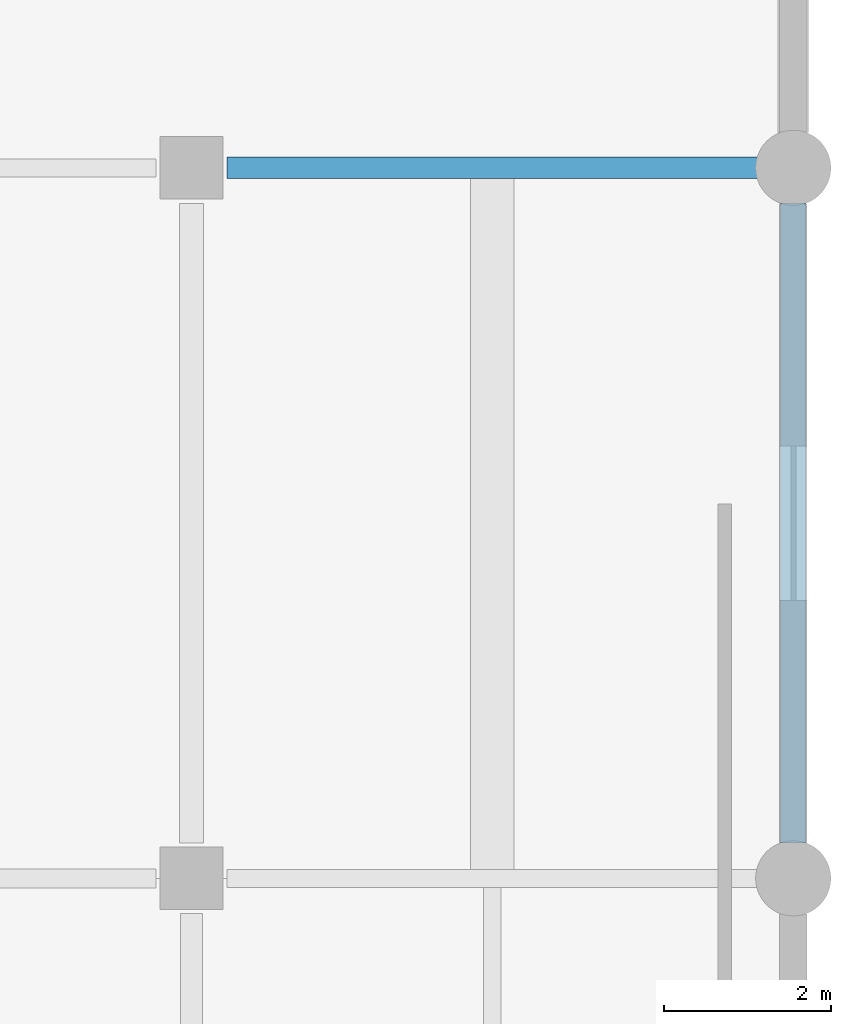
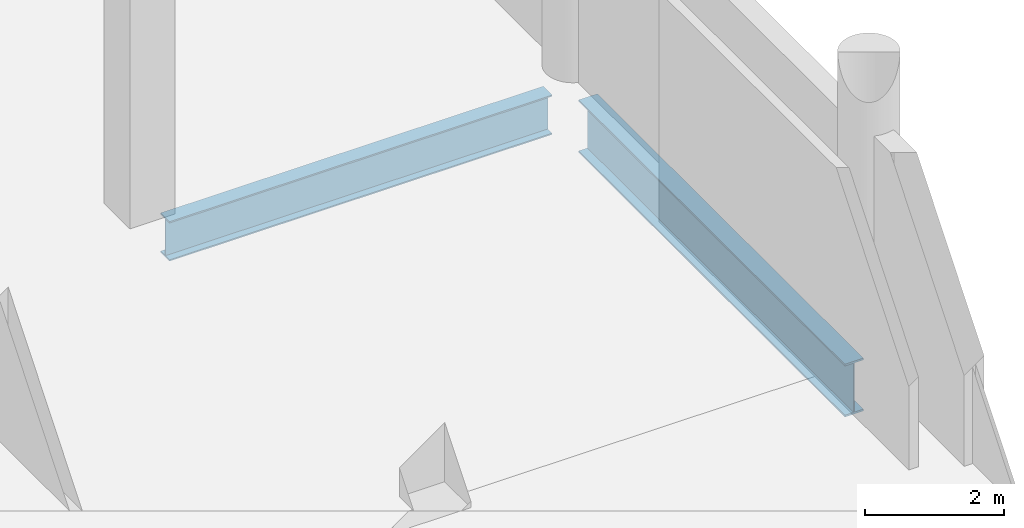
# One storey, part 62 of 107: 2 beams.
"""IFC4 building model written with IfcOpenShell, lengths in metres."""

import ifcopenshell
import ifcopenshell.guid

model = None  # the IFC model being written
_history = None  # IfcOwnerHistory: only IFC2X3 demands one
_inside = {}  # id of a spatial element -> (the spatial element, [elements in it])
_under = {}  # id of a project, library or spatial element -> (it, [spatial elements below it])
_declared = {}  # id of a project -> (the project, [libraries it declares])
_typed = {}  # id of a type object -> (the type object, [elements of that type])
_made_of = {}  # id of a material, layer set ... -> (it, [elements and type objects made of it])


def new_model(schema):
    """Start an empty IFC model of exactly this schema.

    Asked for "IFC4X3", IfcOpenShell would pick the latest addendum, in which some entities
    have other attributes; the version numbers below select the first issue.
    IFC2X3 requires an IfcOwnerHistory on every rooted entity: one is made here for all.
    """
    global model, _history
    if schema == "IFC4X3":
        model = ifcopenshell.file(schema_version=(4, 3, 0, 0))
    else:
        model = ifcopenshell.file(schema=schema)
    _inside.clear()
    _under.clear()
    _declared.clear()
    _typed.clear()
    _made_of.clear()
    _history = None
    if model.schema == "IFC2X3":
        org = make("IfcOrganization", Name="unknown")
        user = make(
            "IfcPersonAndOrganization",
            ThePerson=make("IfcPerson", FamilyName="unknown"),
            TheOrganization=org,
        )
        app = make(
            "IfcApplication",
            ApplicationDeveloper=org,
            Version="unknown",
            ApplicationFullName="unknown",
            ApplicationIdentifier="unknown",
        )
        _history = make(
            "IfcOwnerHistory",
            OwningUser=user,
            OwningApplication=app,
            ChangeAction="ADDED",
            CreationDate=0,
        )
    return model


def make(cls, **values):
    """One entity of the class cls with the attributes given. An attribute that is None is left unset."""
    return model.create_entity(
        cls, **{name: value for name, value in values.items() if value is not None}
    )


def rooted(cls, **values):
    """An entity with a GlobalId (a new one), such as an element, a storey or a relation."""
    return make(cls, GlobalId=ifcopenshell.guid.new(), OwnerHistory=_history, **values)


def si_unit(unit_type, name, prefix=None):
    """IfcSIUnit, for example si_unit("LENGTHUNIT", "METRE", prefix="MILLI")."""
    return make("IfcSIUnit", UnitType=unit_type, Prefix=prefix, Name=name)


def assignment(units):
    """IfcUnitAssignment: the units of a project."""
    return None if units is None else make("IfcUnitAssignment", Units=units)


def point(xyz):
    """IfcCartesianPoint."""
    return None if xyz is None else make("IfcCartesianPoint", Coordinates=xyz)


def direction(xyz):
    """IfcDirection."""
    return None if xyz is None else make("IfcDirection", DirectionRatios=xyz)


def frame(location, z_axis=None, x_axis=None):
    """IfcAxis2Placement3D, a coordinate frame: its origin and axes. An axis left out is left unset."""
    return make(
        "IfcAxis2Placement3D",
        Location=point(location),
        Axis=direction(z_axis),
        RefDirection=direction(x_axis),
    )


def frame_2d(location, x_axis=None):
    """IfcAxis2Placement2D, a coordinate frame in the plane: its origin and x axis."""
    return make(
        "IfcAxis2Placement2D", Location=point(location), RefDirection=direction(x_axis)
    )


def origin():
    """The frame at (0, 0, 0) with its axes left unset."""
    return frame((0.0, 0.0, 0.0))


def origin_2d():
    """The frame at (0, 0) in the plane with its x axis left unset."""
    return frame_2d((0.0, 0.0))


def place(relative_to, where):
    """IfcLocalPlacement: puts the frame where relative to a parent placement (None: the world)."""
    return make(
        "IfcLocalPlacement", PlacementRelTo=relative_to, RelativePlacement=where
    )


def context(
    kind, dimensions, precision=None, world=None, true_north=None, identifier=None
):
    """IfcGeometricRepresentationContext, for example the 3D "Model" context."""
    return make(
        "IfcGeometricRepresentationContext",
        ContextIdentifier=identifier,
        ContextType=kind,
        CoordinateSpaceDimension=dimensions,
        Precision=precision,
        WorldCoordinateSystem=world,
        TrueNorth=true_north,
    )


def subcontext(parent, identifier, kind, view, scale=None):
    """IfcGeometricRepresentationSubContext, for example "Body" below "Model"."""
    return make(
        "IfcGeometricRepresentationSubContext",
        ContextIdentifier=identifier,
        ContextType=kind,
        ParentContext=parent,
        TargetScale=scale,
        TargetView=view,
    )


def project(units=None, contexts=None):
    """IfcProject with its units and contexts."""
    return rooted(
        "IfcProject",
        Name="project",
        RepresentationContexts=contexts,
        UnitsInContext=assignment(units),
    )


def spatial(cls, under=None, at=None, **own):
    """A site, building, storey or space (cls), placed at a placement, below another one or the project."""
    s = rooted(cls, ObjectPlacement=at, **own)
    if under is not None:
        _under.setdefault(under.id(), (under, []))[1].append(s)
    return s


def profile(cls, at=None, kind="AREA", **sizes):
    """A parametric profile (cls). Its sizes go by their IFC names, for example OverallWidth=200.0."""
    return make(cls, ProfileType=kind, Position=at, **sizes)


def i_section(**sizes):
    """IfcIShapeProfileDef."""
    return profile("IfcIShapeProfileDef", **sizes)


def extrude(swept, where, along, depth):
    """IfcExtrudedAreaSolid: the profile swept, set in the frame where, extruded along a direction by depth."""
    return make(
        "IfcExtrudedAreaSolid",
        SweptArea=swept,
        Position=where,
        ExtrudedDirection=direction(along),
        Depth=depth,
    )


def shape(context_of_items, identifier, shape_type, items):
    """IfcShapeRepresentation: the items that make up one representation, for example the "Body"."""
    return make(
        "IfcShapeRepresentation",
        ContextOfItems=context_of_items,
        RepresentationIdentifier=identifier,
        RepresentationType=shape_type,
        Items=items,
    )


def material(Name=None, Category=None):
    """IfcMaterial."""
    return make("IfcMaterial", Name=Name, Category=Category)


def material_profile(
    of_material, cross_section, Name=None, Category=None, Priority=None
):
    """IfcMaterialProfile: a cross section and its material."""
    return make(
        "IfcMaterialProfile",
        Name=Name,
        Material=of_material,
        Profile=cross_section,
        Priority=Priority,
        Category=Category,
    )


def profile_set(profiles, Name=None, composite=None):
    """IfcMaterialProfileSet."""
    return make(
        "IfcMaterialProfileSet",
        Name=Name,
        MaterialProfiles=profiles,
        CompositeProfile=composite,
    )


def made_of(thing, what):
    """Note that an element or type object is made of a material, layer set ...; save() writes the relation."""
    if what is not None:
        _made_of.setdefault(what.id(), (what, []))[1].append(thing)
    return thing


def type_object(cls, material=None, **own):
    """A type object (cls), such as IfcWallType, which elements share."""
    return made_of(rooted(cls, **own), material)


def element(
    cls,
    number,
    at=None,
    inside=None,
    cuts=None,
    type_object=None,
    material=None,
    context=None,
    identifier="Body",
    shape_type=None,
    held_by="IfcProductDefinitionShape",
    body=None,
    shapes=None,
    **own,
):
    """One element of the class cls, such as IfcWall. Its Tag is "e" and its number.

    at: its placement. inside: the storey or other place that contains it. cuts: it is an
    opening in that element (IfcRelVoidsElement). A single representation is given by context,
    identifier, shape_type and body (its items); several are given by shapes. held_by: the class
    of the entity that holds the representations. save() writes the other relations.
    """
    e = rooted(cls, Tag="e%d" % number, ObjectPlacement=at, **own)
    if body is not None:
        shapes = [shape(context, identifier, shape_type, body)]
    if shapes is not None:
        e.Representation = make(held_by, Representations=shapes)
    if inside is not None:
        _inside.setdefault(inside.id(), (inside, []))[1].append(e)
    if cuts is not None:
        rooted(
            "IfcRelVoidsElement", RelatingBuildingElement=cuts, RelatedOpeningElement=e
        )
    if type_object is not None:
        _typed.setdefault(type_object.id(), (type_object, []))[1].append(e)
    return made_of(e, material)


def aggregate(whole, parts):
    """IfcRelAggregates: a whole, such as a stair, and the parts it consists of."""
    return rooted("IfcRelAggregates", RelatingObject=whole, RelatedObjects=parts)


def save(model, path):
    """Write the relations noted so far, then the file.

    IfcRelAggregates (storeys below a building ...), IfcRelContainedInSpatialStructure (elements
    in a storey), IfcRelDefinesByType, IfcRelAssociatesMaterial and IfcRelDeclares: one each for
    every whole, place, type object, material and project.
    """
    for whole, parts in _under.values():
        aggregate(whole, parts)
    for where, things in _inside.values():
        rooted(
            "IfcRelContainedInSpatialStructure",
            RelatedElements=things,
            RelatingStructure=where,
        )
    for kind, things in _typed.values():
        rooted("IfcRelDefinesByType", RelatedObjects=things, RelatingType=kind)
    for what, things in _made_of.values():
        rooted("IfcRelAssociatesMaterial", RelatedObjects=things, RelatingMaterial=what)
    for by, libraries in _declared.values():
        rooted("IfcRelDeclares", RelatingContext=by, RelatedDefinitions=libraries)
    model.write(path)


model = new_model("IFC4")

# Units and contexts
model_context = context("Model", 3, precision=1e-05, world=origin(), true_north=direction((0.0, 1.0)))
body_context = subcontext(model_context, "Body", "Model", "MODEL_VIEW")
ifc_project = project(units=[si_unit("LENGTHUNIT", "METRE"), si_unit("AREAUNIT", "SQUARE_METRE"), si_unit("VOLUMEUNIT", "CUBIC_METRE"), si_unit("PLANEANGLEUNIT", "RADIAN"), si_unit("MASSUNIT", "GRAM", prefix="KILO")], contexts=[model_context])

# Site, building, storey
site_placement = place(None, origin())
site = spatial("IfcSite", under=ifc_project, at=site_placement, CompositionType="ELEMENT")
building_placement = place(site_placement, origin())
building = spatial("IfcBuilding", under=site, at=building_placement, Name="Solvento Point Concert Hall", CompositionType="ELEMENT")
storey_placement = place(building_placement, origin())
storey = spatial("IfcBuildingStorey", under=building, at=storey_placement, Name="L00", CompositionType="ELEMENT", Elevation=0.0)

# Beams
ifc_material_1 = material(Name="Structural Steel ASTM A992 Grade 50", Category="steel")
ifc_material_profile_1 = material_profile(ifc_material_1, i_section(OverallWidth=0.256103515625, OverallDepth=0.693115234375, WebThickness=0.014404296875, FlangeThickness=0.023681640625, at=origin_2d()), Name="W27X114")
ifc_profile_set_1 = profile_set([ifc_material_profile_1], Name="Structural Steel ASTM A992 Grade 50")
beam_type_1 = type_object("IfcBeamType", Name="Girder_W27X114", PredefinedType="USERDEFINED", material=ifc_profile_set_1)
beam_1_placement = place(storey_placement, frame((209.22412109375, 127.5, -0.650390625), z_axis=(1.0, 0.0, 0.0), x_axis=(0.0, 1.0, 0.0)))
element("IfcBeam", 1, at=beam_1_placement, inside=storey, type_object=beam_type_1, Name="Primary girder B-23 L00", ObjectType="GIRDER", PredefinedType="USERDEFINED", context=body_context, shape_type="SweptSolid", body=[
    extrude(i_section(OverallWidth=0.256103515625, OverallDepth=0.693115234375, WebThickness=0.014404296875, FlangeThickness=0.023681640625, at=origin_2d()), origin(), (0.0, 0.0, 1.0), 6.351806640625),
])
ifc_material_2 = material(Name="Structural Steel ASTM A992 Grade 50", Category="steel")
ifc_material_profile_2 = material_profile(ifc_material_2, i_section(OverallWidth=0.3076171875, OverallDepth=0.927001953125, WebThickness=0.019287109375, FlangeThickness=0.031982421875, at=origin_2d()), Name="W36X194")
ifc_profile_set_2 = profile_set([ifc_material_profile_2], Name="Structural Steel ASTM A992 Grade 50")
beam_type_2 = type_object("IfcBeamType", Name="Girder_W36X194", PredefinedType="USERDEFINED", material=ifc_profile_set_2)
beam_2_placement = place(storey_placement, frame((216.0, 119.424072265625, -0.767578125), z_axis=(0.0, 1.0, 0.0), x_axis=(-1.0, 0.0, 0.0)))
element("IfcBeam", 2, at=beam_2_placement, inside=storey, type_object=beam_type_2, Name="Primary girder B-61 L00", ObjectType="GIRDER", PredefinedType="USERDEFINED", context=body_context, shape_type="SweptSolid", body=[
    extrude(i_section(OverallWidth=0.3076171875, OverallDepth=0.927001953125, WebThickness=0.019287109375, FlangeThickness=0.031982421875, at=origin_2d()), origin(), (0.0, 0.0, 1.0), 7.65185546875),
])

save(model, "model.ifc")
